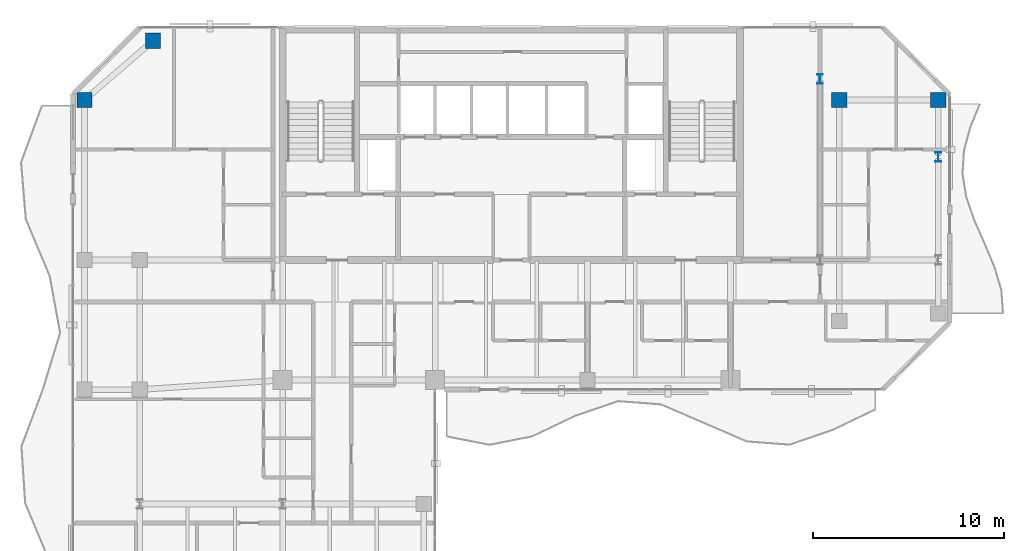
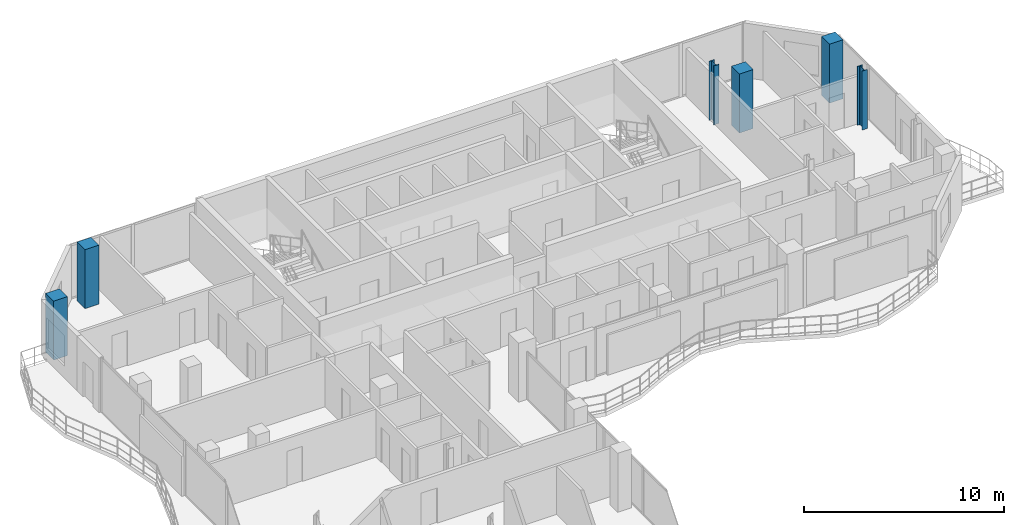
# One storey, part 2 of 24: 6 columns.
"""IFC4 building model written with IfcOpenShell, lengths in metres."""

from ifc_helpers import new_model, si_unit, direction, frame, origin, origin_2d, place, context, subcontext, project, spatial, rectangle, i_section, extrude, material, material_profile, profile_set, type_object, element, save


model = new_model("IFC4")

# Units and contexts
model_context = context("Model", 3, precision=1e-05, world=origin(), true_north=direction((0.0, 1.0)))
body_context = subcontext(model_context, "Body", "Model", "MODEL_VIEW")
ifc_project = project(units=[si_unit("LENGTHUNIT", "METRE"), si_unit("AREAUNIT", "SQUARE_METRE"), si_unit("VOLUMEUNIT", "CUBIC_METRE"), si_unit("PLANEANGLEUNIT", "RADIAN"), si_unit("MASSUNIT", "GRAM", prefix="KILO")], contexts=[model_context])

# Site, building, storey
site_placement = place(None, origin())
site = spatial("IfcSite", under=ifc_project, at=site_placement, CompositionType="ELEMENT")
building_placement = place(site_placement, origin())
building = spatial("IfcBuilding", under=site, at=building_placement, Name="Catumbela Crestline Tower", CompositionType="ELEMENT")
storey_placement = place(building_placement, frame((0.0, 0.0, 157.8)))
storey = spatial("IfcBuildingStorey", under=building, at=storey_placement, Name="L40", CompositionType="ELEMENT", Elevation=157.8)

# Columns
ifc_material_1 = material(Name="Concrete C50/60", Category="concrete")
ifc_material_profile_1 = material_profile(ifc_material_1, rectangle(XDim=0.8, YDim=0.8, at=origin_2d()), Name="RC 800x800")
ifc_profile_set_1 = profile_set([ifc_material_profile_1], Name="Concrete C50/60")
column_type_1 = type_object("IfcColumnType", Name="C-RC800-C50", PredefinedType="COLUMN", material=ifc_profile_set_1)
for number, where, z_axis, x_axis, name in (
    (1, (5.6, 39.2, 0.0), (0.0, 0.0, 1.0), (1.0, 0.0, 0.0), "L40 Column C-05-43 (RC 800x800)"),
    (2, (9.2, 42.3, 0.0), (0.0, 0.0, 1.0), (1.0, 0.0, 0.0), "L40 Column C-08-43 (RC 800x800)"),
    (3, (45.2, 39.2, 0.0), (0.0, 0.0, 1.0), (1.0, 0.0, 0.0), "L40 Column C-46-43 (RC 800x800)"),
    (4, (50.4, 39.2, 0.0), (0.0, 0.0, 1.0), (1.0, 0.0, 0.0), "L40 Column C-51-43 (RC 800x800)"),
):
    element("IfcColumn", number, at=place(storey_placement, frame(where, z_axis=z_axis, x_axis=x_axis)), inside=storey, type_object=column_type_1, Name=name, PredefinedType="COLUMN", context=body_context, shape_type="SweptSolid", body=[
        extrude(rectangle(XDim=0.8, YDim=0.8, at=origin_2d()), origin(), (0.0, 0.0, 1.0), 3.6),
    ])
ifc_material_2 = material(Name="Structural steel S355J2", Category="steel")
ifc_material_profile_2 = material_profile(ifc_material_2, i_section(OverallWidth=0.3, OverallDepth=0.5, WebThickness=0.0145, FlangeThickness=0.028, FilletRadius=0.027, at=origin_2d()), Name="HEB 500")
ifc_profile_set_2 = profile_set([ifc_material_profile_2], Name="Structural steel S355J2")
column_type_2 = type_object("IfcColumnType", Name="C-ST-HEB500", PredefinedType="COLUMN", material=ifc_profile_set_2)
for number, where, z_axis, x_axis, name in (
    (5, (44.2, 40.3, 0.0), (0.0, 0.0, 1.0), (1.0, 0.0, 0.0), "L40 Column CT-46-37 (HEB 500)"),
    (6, (50.4, 36.2, 0.0), (0.0, 0.0, 1.0), (1.0, 0.0, 0.0), "L40 Column CT-51-37 (HEB 500)"),
):
    element("IfcColumn", number, at=place(storey_placement, frame(where, z_axis=z_axis, x_axis=x_axis)), inside=storey, type_object=column_type_2, Name=name, PredefinedType="COLUMN", context=body_context, shape_type="SweptSolid", body=[
        extrude(i_section(OverallWidth=0.3, OverallDepth=0.5, WebThickness=0.0145, FlangeThickness=0.028, FilletRadius=0.027, at=origin_2d()), origin(), (0.0, 0.0, 1.0), 3.6),
    ])

save(model, "model.ifc")
